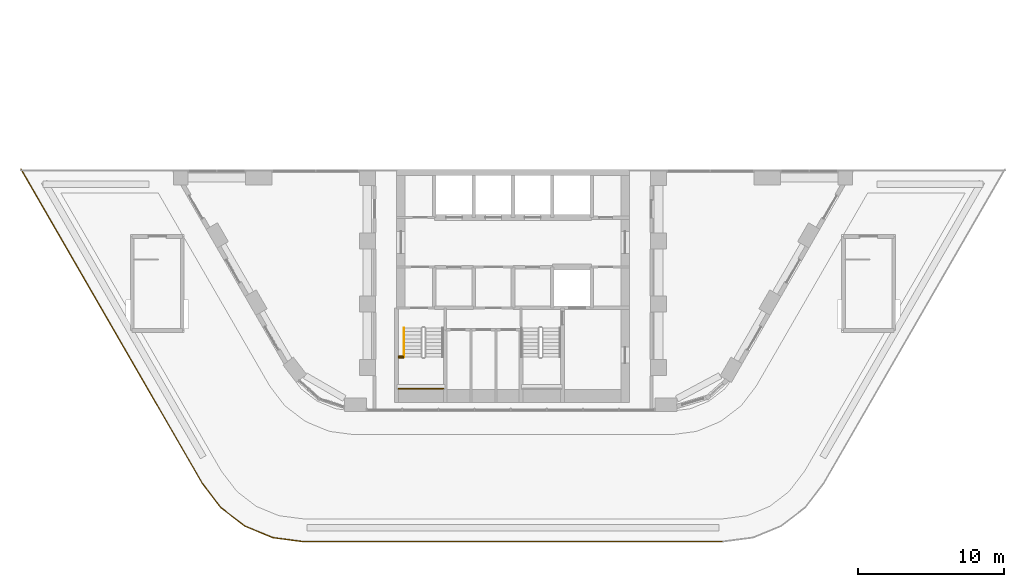
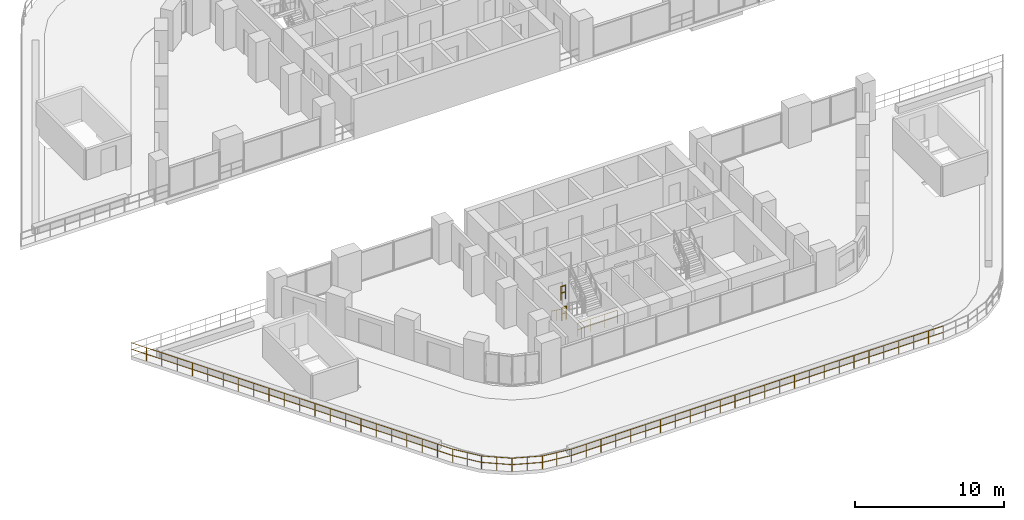
# One storey, part 16 of 24: 10 railings.
"""IFC4 building model written with IfcOpenShell, lengths in metres."""

from ifc_helpers import new_model, si_unit, direction, frame, origin, origin_2d, place, context, subcontext, project, spatial, circle, extrude, material, type_object, element, save


model = new_model("IFC4")

# Units and contexts
model_context = context("Model", 3, precision=1e-05, world=origin(), true_north=direction((0.0, 1.0)))
body_context = subcontext(model_context, "Body", "Model", "MODEL_VIEW")
ifc_project = project(units=[si_unit("LENGTHUNIT", "METRE"), si_unit("AREAUNIT", "SQUARE_METRE"), si_unit("VOLUMEUNIT", "CUBIC_METRE"), si_unit("PLANEANGLEUNIT", "RADIAN"), si_unit("MASSUNIT", "GRAM", prefix="KILO")], contexts=[model_context])

# Site, building, storey
site_placement = place(None, origin())
site = spatial("IfcSite", under=ifc_project, at=site_placement, CompositionType="ELEMENT")
building_placement = place(site_placement, origin())
building = spatial("IfcBuilding", under=site, at=building_placement, Name="Nakaniwa Court", CompositionType="ELEMENT")
storey_placement = place(building_placement, frame((0.0, 0.0, 28.199951171875)))
storey = spatial("IfcBuildingStorey", under=building, at=storey_placement, Name="L06", CompositionType="ELEMENT", Elevation=28.199951171875)

# Railings
ifc_material_1 = material(Name="Black powder-coated steel flat bar balustrade S275", Category="steel")
railing_type_1 = type_object("IfcRailingType", Name="Black metal terrace guard 1100", PredefinedType="GUARDRAIL", material=ifc_material_1)
railing_1_placement = place(storey_placement, frame((46.210693359375, 72.625, 0.0)))
element("IfcRailing", 1, at=railing_1_placement, inside=storey, type_object=railing_type_1, Name="L06 play deck 1 guard 4", PredefinedType="GUARDRAIL", context=body_context, shape_type="SweptSolid", body=[
    extrude(circle(Radius=0.02392578125, at=origin_2d()), frame((0.0, 0.0, 1.076171875), z_axis=(0.499996419489, -0.866027470984, 0.0), x_axis=(0.866027470984, 0.499996419489, 0.0)), (0.0, 0.0, 1.0), 24.941650390625),
    extrude(circle(Radius=0.02392578125, at=origin_2d()), frame((0.0, 0.0, 0.550048828125), z_axis=(0.499996419489, -0.866027470984, 0.0), x_axis=(0.866027470984, 0.499996419489, 0.0)), (0.0, 0.0, 1.0), 24.941650390625),
    extrude(circle(Radius=0.02099609375, at=origin_2d()), origin(), (0.0, 0.0, 1.0), 1.052001953125),
    extrude(circle(Radius=0.02099609375, at=origin_2d()), frame((0.59375, -1.028564453125, 0.0)), (0.0, 0.0, 1.0), 1.052001953125),
    extrude(circle(Radius=0.02099609375, at=origin_2d()), frame((1.187744140625, -2.05712890625, 0.0)), (0.0, 0.0, 1.0), 1.052001953125),
    extrude(circle(Radius=0.02099609375, at=origin_2d()), frame((1.781494140625, -3.085693359375, 0.0)), (0.0, 0.0, 1.0), 1.052001953125),
    extrude(circle(Radius=0.02099609375, at=origin_2d()), frame((2.37548828125, -4.1142578125, 0.0)), (0.0, 0.0, 1.0), 1.052001953125),
    extrude(circle(Radius=0.02099609375, at=origin_2d()), frame((2.96923828125, -5.142822265625, 0.0)), (0.0, 0.0, 1.0), 1.052001953125),
    extrude(circle(Radius=0.02099609375, at=origin_2d()), frame((3.56298828125, -6.17138671875, 0.0)), (0.0, 0.0, 1.0), 1.052001953125),
    extrude(circle(Radius=0.02099609375, at=origin_2d()), frame((4.156982421875, -7.199951171875, 0.0)), (0.0, 0.0, 1.0), 1.052001953125),
    extrude(circle(Radius=0.02099609375, at=origin_2d()), frame((4.750732421875, -8.228515625, 0.0)), (0.0, 0.0, 1.0), 1.052001953125),
    extrude(circle(Radius=0.02099609375, at=origin_2d()), frame((5.344482421875, -9.257080078125, 0.0)), (0.0, 0.0, 1.0), 1.052001953125),
    extrude(circle(Radius=0.02099609375, at=origin_2d()), frame((5.9384765625, -10.28564453125, 0.0)), (0.0, 0.0, 1.0), 1.052001953125),
    extrude(circle(Radius=0.02099609375, at=origin_2d()), frame((6.5322265625, -11.314453125, 0.0)), (0.0, 0.0, 1.0), 1.052001953125),
    extrude(circle(Radius=0.02099609375, at=origin_2d()), frame((7.126220703125, -12.343017578125, 0.0)), (0.0, 0.0, 1.0), 1.052001953125),
    extrude(circle(Radius=0.02099609375, at=origin_2d()), frame((7.719970703125, -13.37158203125, 0.0)), (0.0, 0.0, 1.0), 1.052001953125),
    extrude(circle(Radius=0.02099609375, at=origin_2d()), frame((8.313720703125, -14.400146484375, 0.0)), (0.0, 0.0, 1.0), 1.052001953125),
    extrude(circle(Radius=0.02099609375, at=origin_2d()), frame((8.90771484375, -15.4287109375, 0.0)), (0.0, 0.0, 1.0), 1.052001953125),
    extrude(circle(Radius=0.02099609375, at=origin_2d()), frame((9.50146484375, -16.457275390625, 0.0)), (0.0, 0.0, 1.0), 1.052001953125),
    extrude(circle(Radius=0.02099609375, at=origin_2d()), frame((10.09521484375, -17.48583984375, 0.0)), (0.0, 0.0, 1.0), 1.052001953125),
    extrude(circle(Radius=0.02099609375, at=origin_2d()), frame((10.689208984375, -18.514404296875, 0.0)), (0.0, 0.0, 1.0), 1.052001953125),
    extrude(circle(Radius=0.02099609375, at=origin_2d()), frame((11.282958984375, -19.54296875, 0.0)), (0.0, 0.0, 1.0), 1.052001953125),
    extrude(circle(Radius=0.02099609375, at=origin_2d()), frame((11.876953125, -20.571533203125, 0.0)), (0.0, 0.0, 1.0), 1.052001953125),
    extrude(circle(Radius=0.02099609375, at=origin_2d()), frame((12.470703125, -21.60009765625, 0.0)), (0.0, 0.0, 1.0), 1.052001953125),
])
railing_2_placement = place(storey_placement, frame((58.677734375, 51.030517578125, 0.0)))
element("IfcRailing", 2, at=railing_2_placement, inside=storey, type_object=railing_type_1, Name="L06 play deck 1 guard 5", PredefinedType="GUARDRAIL", context=body_context, shape_type="SweptSolid", body=[
    extrude(circle(Radius=0.02392578125, at=origin_2d()), frame((0.0, 0.0, 1.076171875), z_axis=(0.608772592343, -0.793344774239, 0.0), x_axis=(0.793344774239, 0.608772592343, 0.0)), (0.0, 0.0, 1.0), 2.088623046875),
    extrude(circle(Radius=0.02392578125, at=origin_2d()), frame((0.0, 0.0, 0.550048828125), z_axis=(0.608772592343, -0.793344774239, 0.0), x_axis=(0.793344774239, 0.608772592343, 0.0)), (0.0, 0.0, 1.0), 2.088623046875),
    extrude(circle(Radius=0.02099609375, at=origin_2d()), origin(), (0.0, 0.0, 1.0), 1.052001953125),
    extrude(circle(Radius=0.02099609375, at=origin_2d()), frame((0.6357421875, -0.82861328125, 0.0)), (0.0, 0.0, 1.0), 1.052001953125),
    extrude(circle(Radius=0.02099609375, at=origin_2d()), frame((1.271484375, -1.656982421875, 0.0)), (0.0, 0.0, 1.0), 1.052001953125),
])
railing_3_placement = place(storey_placement, frame((59.939697265625, 49.3828125, 0.0)))
element("IfcRailing", 3, at=railing_3_placement, inside=storey, type_object=railing_type_1, Name="L06 play deck 1 guard 6", PredefinedType="GUARDRAIL", context=body_context, shape_type="SweptSolid", body=[
    extrude(circle(Radius=0.02392578125, at=origin_2d()), frame((0.0, 0.0, 1.076171875), z_axis=(0.793401229683, -0.608699013255, 0.0), x_axis=(0.608699013255, 0.793401229683, 0.0)), (0.0, 0.0, 1.0), 2.08837890625),
    extrude(circle(Radius=0.02392578125, at=origin_2d()), frame((0.0, 0.0, 0.550048828125), z_axis=(0.793401229683, -0.608699013255, 0.0), x_axis=(0.608699013255, 0.793401229683, 0.0)), (0.0, 0.0, 1.0), 2.08837890625),
    extrude(circle(Radius=0.02099609375, at=origin_2d()), origin(), (0.0, 0.0, 1.0), 1.052001953125),
    extrude(circle(Radius=0.02099609375, at=origin_2d()), frame((0.82861328125, -0.6357421875, 0.0)), (0.0, 0.0, 1.0), 1.052001953125),
    extrude(circle(Radius=0.02099609375, at=origin_2d()), frame((1.656982421875, -1.271240234375, 0.0)), (0.0, 0.0, 1.0), 1.052001953125),
])
railing_4_placement = place(storey_placement, frame((61.585205078125, 48.117919921875, 0.0)))
element("IfcRailing", 4, at=railing_4_placement, inside=storey, type_object=railing_type_1, Name="L06 play deck 1 guard 7", PredefinedType="GUARDRAIL", context=body_context, shape_type="SweptSolid", body=[
    extrude(circle(Radius=0.02392578125, at=origin_2d()), frame((0.0, 0.0, 1.076171875), z_axis=(0.923918540982, -0.382589244007, 0.0), x_axis=(0.382589244007, 0.923918540982, 0.0)), (0.0, 0.0, 1.0), 2.088623046875),
    extrude(circle(Radius=0.02392578125, at=origin_2d()), frame((0.0, 0.0, 0.550048828125), z_axis=(0.923918540982, -0.382589244007, 0.0), x_axis=(0.382589244007, 0.923918540982, 0.0)), (0.0, 0.0, 1.0), 2.088623046875),
    extrude(circle(Radius=0.02099609375, at=origin_2d()), origin(), (0.0, 0.0, 1.0), 1.052001953125),
    extrude(circle(Radius=0.02099609375, at=origin_2d()), frame((0.96484375, -0.3994140625, 0.0)), (0.0, 0.0, 1.0), 1.052001953125),
    extrude(circle(Radius=0.02099609375, at=origin_2d()), frame((1.9296875, -0.799072265625, 0.0)), (0.0, 0.0, 1.0), 1.052001953125),
])
railing_5_placement = place(storey_placement, frame((63.502197265625, 47.322265625, 0.0)))
element("IfcRailing", 5, at=railing_5_placement, inside=storey, type_object=railing_type_1, Name="L06 play deck 1 guard 8", PredefinedType="GUARDRAIL", context=body_context, shape_type="SweptSolid", body=[
    extrude(circle(Radius=0.02392578125, at=origin_2d()), frame((0.0, 0.0, 1.076171875), z_axis=(0.991437974162, -0.130578495123, 0.0), x_axis=(0.130578495123, 0.991437974162, 0.0)), (0.0, 0.0, 1.0), 2.08837890625),
    extrude(circle(Radius=0.02392578125, at=origin_2d()), frame((0.0, 0.0, 0.550048828125), z_axis=(0.991437974162, -0.130578495123, 0.0), x_axis=(0.130578495123, 0.991437974162, 0.0)), (0.0, 0.0, 1.0), 2.08837890625),
    extrude(circle(Radius=0.02099609375, at=origin_2d()), origin(), (0.0, 0.0, 1.0), 1.052001953125),
    extrude(circle(Radius=0.02099609375, at=origin_2d()), frame((1.03515625, -0.13623046875, 0.0)), (0.0, 0.0, 1.0), 1.052001953125),
    extrude(circle(Radius=0.02099609375, at=origin_2d()), frame((2.070556640625, -0.272705078125, 0.0)), (0.0, 0.0, 1.0), 1.052001953125),
])
railing_6_placement = place(storey_placement, frame((65.566162109375, 47.050048828125, 0.0)))
element("IfcRailing", 6, at=railing_6_placement, inside=storey, type_object=railing_type_1, Name="L06 play deck 1 guard 9", PredefinedType="GUARDRAIL", context=body_context, shape_type="SweptSolid", body=[
    extrude(circle(Radius=0.02392578125, at=origin_2d()), frame((0.0, 0.0, 1.076171875), z_axis=(1.0, 0.0, 0.0), x_axis=(0.0, 1.0, 0.0)), (0.0, 0.0, 1.0), 28.86767578125),
    extrude(circle(Radius=0.02392578125, at=origin_2d()), frame((0.0, 0.0, 0.550048828125), z_axis=(1.0, 0.0, 0.0), x_axis=(0.0, 1.0, 0.0)), (0.0, 0.0, 1.0), 28.86767578125),
    extrude(circle(Radius=0.02099609375, at=origin_2d()), origin(), (0.0, 0.0, 1.0), 1.052001953125),
    extrude(circle(Radius=0.02099609375, at=origin_2d()), frame((1.15478515625, 0.0, 0.0)), (0.0, 0.0, 1.0), 1.052001953125),
    extrude(circle(Radius=0.02099609375, at=origin_2d()), frame((2.309326171875, 0.0, 0.0)), (0.0, 0.0, 1.0), 1.052001953125),
    extrude(circle(Radius=0.02099609375, at=origin_2d()), frame((3.464111328125, 0.0, 0.0)), (0.0, 0.0, 1.0), 1.052001953125),
    extrude(circle(Radius=0.02099609375, at=origin_2d()), frame((4.618896484375, 0.0, 0.0)), (0.0, 0.0, 1.0), 1.052001953125),
    extrude(circle(Radius=0.02099609375, at=origin_2d()), frame((5.7734375, 0.0, 0.0)), (0.0, 0.0, 1.0), 1.052001953125),
    extrude(circle(Radius=0.02099609375, at=origin_2d()), frame((6.92822265625, 0.0, 0.0)), (0.0, 0.0, 1.0), 1.052001953125),
    extrude(circle(Radius=0.02099609375, at=origin_2d()), frame((8.0830078125, 0.0, 0.0)), (0.0, 0.0, 1.0), 1.052001953125),
    extrude(circle(Radius=0.02099609375, at=origin_2d()), frame((9.237548828125, 0.0, 0.0)), (0.0, 0.0, 1.0), 1.052001953125),
    extrude(circle(Radius=0.02099609375, at=origin_2d()), frame((10.392333984375, 0.0, 0.0)), (0.0, 0.0, 1.0), 1.052001953125),
    extrude(circle(Radius=0.02099609375, at=origin_2d()), frame((11.547119140625, 0.0, 0.0)), (0.0, 0.0, 1.0), 1.052001953125),
    extrude(circle(Radius=0.02099609375, at=origin_2d()), frame((12.70166015625, 0.0, 0.0)), (0.0, 0.0, 1.0), 1.052001953125),
    extrude(circle(Radius=0.02099609375, at=origin_2d()), frame((13.8564453125, 0.0, 0.0)), (0.0, 0.0, 1.0), 1.052001953125),
    extrude(circle(Radius=0.02099609375, at=origin_2d()), frame((15.01123046875, 0.0, 0.0)), (0.0, 0.0, 1.0), 1.052001953125),
    extrude(circle(Radius=0.02099609375, at=origin_2d()), frame((16.166015625, 0.0, 0.0)), (0.0, 0.0, 1.0), 1.052001953125),
    extrude(circle(Radius=0.02099609375, at=origin_2d()), frame((17.320556640625, 0.0, 0.0)), (0.0, 0.0, 1.0), 1.052001953125),
    extrude(circle(Radius=0.02099609375, at=origin_2d()), frame((18.475341796875, 0.0, 0.0)), (0.0, 0.0, 1.0), 1.052001953125),
    extrude(circle(Radius=0.02099609375, at=origin_2d()), frame((19.630126953125, 0.0, 0.0)), (0.0, 0.0, 1.0), 1.052001953125),
    extrude(circle(Radius=0.02099609375, at=origin_2d()), frame((20.78466796875, 0.0, 0.0)), (0.0, 0.0, 1.0), 1.052001953125),
    extrude(circle(Radius=0.02099609375, at=origin_2d()), frame((21.939453125, 0.0, 0.0)), (0.0, 0.0, 1.0), 1.052001953125),
    extrude(circle(Radius=0.02099609375, at=origin_2d()), frame((23.09423828125, 0.0, 0.0)), (0.0, 0.0, 1.0), 1.052001953125),
    extrude(circle(Radius=0.02099609375, at=origin_2d()), frame((24.248779296875, 0.0, 0.0)), (0.0, 0.0, 1.0), 1.052001953125),
    extrude(circle(Radius=0.02099609375, at=origin_2d()), frame((25.403564453125, 0.0, 0.0)), (0.0, 0.0, 1.0), 1.052001953125),
    extrude(circle(Radius=0.02099609375, at=origin_2d()), frame((26.558349609375, 0.0, 0.0)), (0.0, 0.0, 1.0), 1.052001953125),
    extrude(circle(Radius=0.02099609375, at=origin_2d()), frame((27.712890625, 0.0, 0.0)), (0.0, 0.0, 1.0), 1.052001953125),
    extrude(circle(Radius=0.02099609375, at=origin_2d()), frame((28.86767578125, 0.0, 0.0)), (0.0, 0.0, 1.0), 1.052001953125),
])
ifc_material_2 = material(Name="Black powder coated steel guard", Category="steel")
railing_type_2 = type_object("IfcRailingType", Name="Stair guard 1100", PredefinedType="GUARDRAIL", material=ifc_material_2)
railing_7_placement = place(storey_placement, frame((72.125, 57.550048828125, 1.650146484375)))
element("IfcRailing", 7, at=railing_7_placement, inside=storey, type_object=railing_type_2, Name="L06 ST3 landing end guard 1", PredefinedType="GUARDRAIL", context=body_context, shape_type="SweptSolid", body=[
    extrude(circle(Radius=0.02392578125, at=origin_2d()), frame((0.0, 0.0, 1.076171875), z_axis=(1.0, 0.0, 0.0), x_axis=(0.0, 1.0, 0.0)), (0.0, 0.0, 1.0), 3.10009765625),
    extrude(circle(Radius=0.02392578125, at=origin_2d()), frame((0.0, 0.0, 0.550048828125), z_axis=(1.0, 0.0, 0.0), x_axis=(0.0, 1.0, 0.0)), (0.0, 0.0, 1.0), 3.10009765625),
    extrude(circle(Radius=0.02099609375, at=origin_2d()), origin(), (0.0, 0.0, 1.0), 1.052001953125),
    extrude(circle(Radius=0.02099609375, at=origin_2d()), frame((1.033447265625, 0.0, 0.0)), (0.0, 0.0, 1.0), 1.052001953125),
    extrude(circle(Radius=0.02099609375, at=origin_2d()), frame((2.066650390625, 0.0, 0.0)), (0.0, 0.0, 1.0), 1.052001953125),
    extrude(circle(Radius=0.02099609375, at=origin_2d()), frame((3.10009765625, 0.0, 0.0)), (0.0, 0.0, 1.0), 1.052001953125),
])
for number, where, name in (
    (8, (72.125, 59.675048828125, 1.650146484375), "L06 ST3 landing side guard 1W"),
    (9, (72.125, 59.77490234375, 3.300048828125), "L06 ST3 floor edge guard 1W"),
):
    element("IfcRailing", number, at=place(storey_placement, frame(where)), inside=storey, type_object=railing_type_2, Name=name, PredefinedType="GUARDRAIL", context=body_context, shape_type="SweptSolid", body=[
        extrude(circle(Radius=0.02392578125, at=origin_2d()), frame((0.0, 0.0, 1.076171875), z_axis=(1.0, 0.0, 0.0), x_axis=(0.0, 1.0, 0.0)), (0.0, 0.0, 1.0), 0.35009765625),
        extrude(circle(Radius=0.02392578125, at=origin_2d()), frame((0.0, 0.0, 0.550048828125), z_axis=(1.0, 0.0, 0.0), x_axis=(0.0, 1.0, 0.0)), (0.0, 0.0, 1.0), 0.35009765625),
        extrude(circle(Radius=0.02099609375, at=origin_2d()), origin(), (0.0, 0.0, 1.0), 1.052001953125),
        extrude(circle(Radius=0.02099609375, at=origin_2d()), frame((0.35009765625, 0.0, 0.0)), (0.0, 0.0, 1.0), 1.052001953125),
    ])
ifc_material_3 = material(Name="Black powder coated steel handrail", Category="steel")
railing_type_3 = type_object("IfcRailingType", Name="Stair handrail 900", PredefinedType="HANDRAIL", material=ifc_material_3)
railing_8_placement = place(storey_placement, frame((72.52490234375, 61.72509765625, 0.183349609375)))
element("IfcRailing", 10, at=railing_8_placement, inside=storey, type_object=railing_type_3, Name="L06 ST3 stair handrail 1", PredefinedType="HANDRAIL", context=body_context, shape_type="SweptSolid", body=[
    extrude(circle(Radius=0.02392578125, at=origin_2d()), frame((0.0, 0.0, 0.8759765625), z_axis=(0.0, -0.806379959628, 0.591397802423), x_axis=(1.0, 0.0, 0.0)), (0.0, 0.0, 1.0), 2.480224609375),
    extrude(circle(Radius=0.02099609375, at=origin_2d()), origin(), (0.0, 0.0, 1.0), 0.851806640625),
    extrude(circle(Radius=0.02099609375, at=origin_2d()), frame((0.0, -0.666748046875, 0.489013671875)), (0.0, 0.0, 1.0), 0.851806640625),
    extrude(circle(Radius=0.02099609375, at=origin_2d()), frame((0.0, -1.333251953125, 0.977783203125)), (0.0, 0.0, 1.0), 0.851806640625),
    extrude(circle(Radius=0.02099609375, at=origin_2d()), frame((0.0, -2.0, 1.466796875)), (0.0, 0.0, 1.0), 0.851806640625),
])

save(model, "model.ifc")
